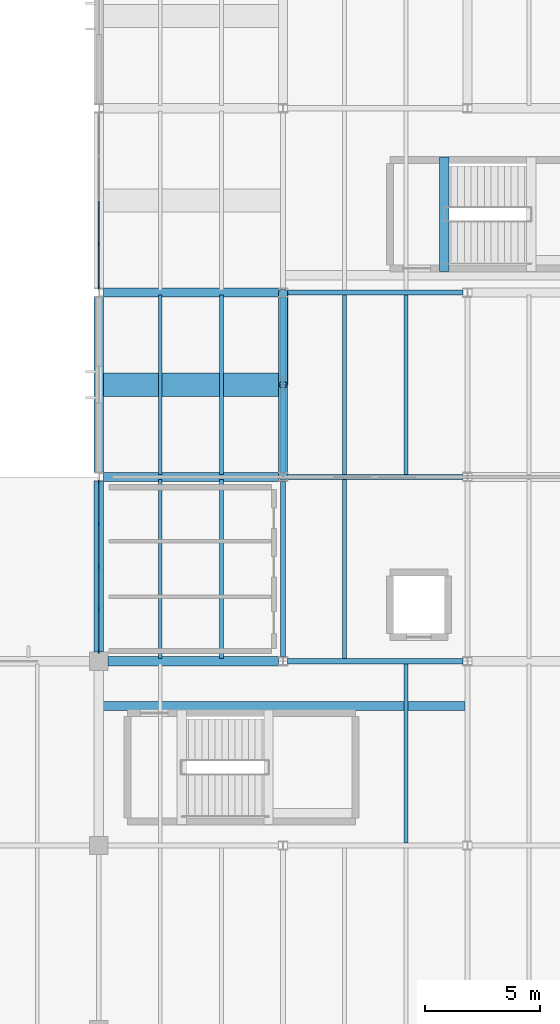
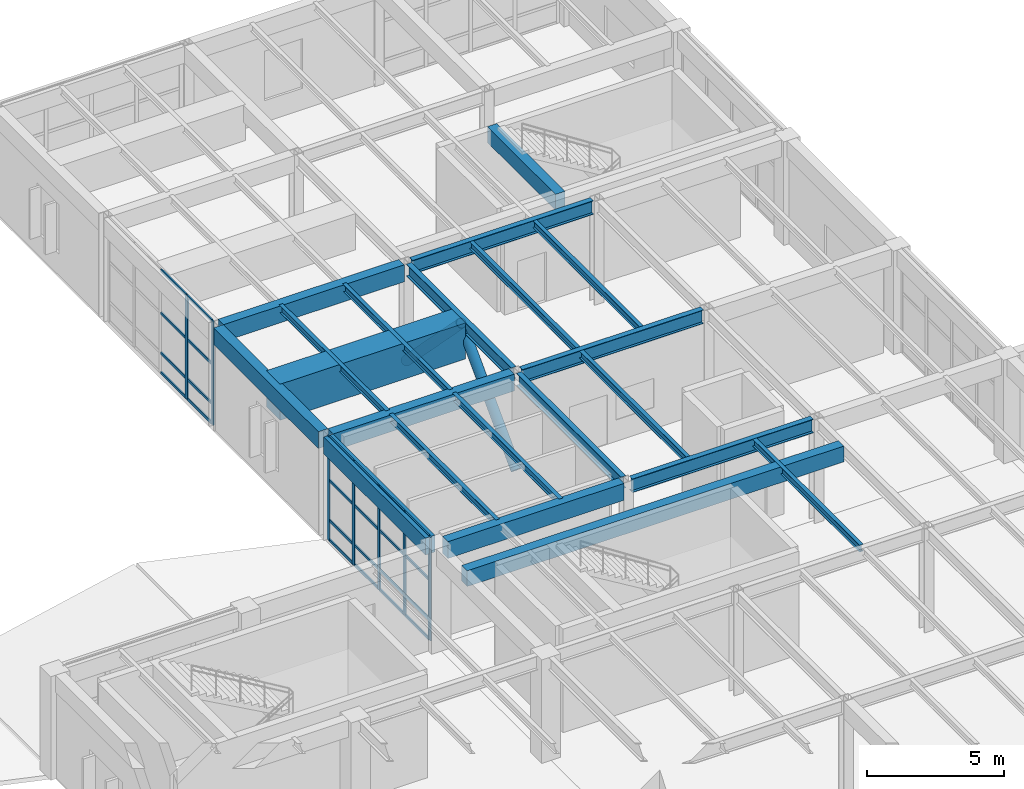
# One storey, part 21 of 60: 33 members, 21 beams, 2 elements without a shape of their own.
"""IFC4 building model written with IfcOpenShell, lengths in metres."""

from ifc_helpers import new_model, si_unit, direction, frame, origin, origin_2d, place, context, subcontext, project, spatial, rectangle, hollow_circle, i_section, extrude, material, layer, layer_set, material_profile, profile_set, type_object, element, aggregate, save


model = new_model("IFC4")

# Units and contexts
model_context = context("Model", 3, precision=1e-05, world=origin(), true_north=direction((0.0, 1.0)))
body_context = subcontext(model_context, "Body", "Model", "MODEL_VIEW")
ifc_project = project(units=[si_unit("LENGTHUNIT", "METRE"), si_unit("AREAUNIT", "SQUARE_METRE"), si_unit("VOLUMEUNIT", "CUBIC_METRE"), si_unit("PLANEANGLEUNIT", "RADIAN"), si_unit("MASSUNIT", "GRAM", prefix="KILO")], contexts=[model_context])

# Site, building, storey
site_placement = place(None, origin())
site = spatial("IfcSite", under=ifc_project, at=site_placement, CompositionType="ELEMENT")
building_placement = place(site_placement, origin())
building = spatial("IfcBuilding", under=site, at=building_placement, Name="Varnela Railside Interchange", CompositionType="ELEMENT")
storey_placement = place(building_placement, frame((0.0, 0.0, 6.300048828125)))
storey = spatial("IfcBuildingStorey", under=building, at=storey_placement, Name="L01", CompositionType="ELEMENT", Elevation=6.300048828125)

# Beams
ifc_material_1 = material(Name="Concrete C50", Category="concrete")
ifc_material_profile_1 = material_profile(ifc_material_1, rectangle(XDim=1.0, YDim=1.60009765625, at=origin_2d()), Name="RC 1000x1600")
ifc_profile_set_1 = profile_set([ifc_material_profile_1], Name="Concrete C50")
beam_type_1 = type_object("IfcBeamType", Name="Auditorium Transfer Girder TG-03", PredefinedType="BEAM", material=ifc_profile_set_1)
beam_1_placement = place(storey_placement, frame((116.10595703125, 74.0, 3.800048828125), z_axis=(1.0, 0.0, 0.0), x_axis=(0.0, 1.0, 0.0)))
element("IfcBeam", 1, at=beam_1_placement, inside=storey, type_object=beam_type_1, Name="Auditorium Transfer Girder TG-03 (L01) (BM-1787)", PredefinedType="BEAM", context=body_context, shape_type="SweptSolid", body=[
    extrude(rectangle(XDim=1.0, YDim=1.60009765625, at=origin_2d()), origin(), (0.0, 0.0, 1.0), 7.7880859375),
])
ifc_material_2 = material(Name="Steel AR 350 (350 MPa)", Category="steel")
ifc_material_profile_2 = material_profile(ifc_material_2, i_section(OverallWidth=0.1650390625, OverallDepth=0.31005859375, WebThickness=0.005859375, FlangeThickness=0.009765625, at=origin_2d()), Name="W310x38.7")
ifc_profile_set_2 = profile_set([ifc_material_profile_2], Name="Steel AR 350 (350 MPa)")
beam_type_2 = type_object("IfcBeamType", Name="Composite Floor Joist J-04", PredefinedType="JOIST", material=ifc_profile_set_2)
for number, where, z_axis, x_axis, name in (
    (2, (118.669921875, 62.114501953125, 4.445068359375), (0.0, 1.0, 0.0), (-1.0, 0.0, 0.0), "Composite Floor Joist J-04 (L01) (BM-1490)"),
    (3, (121.330078125, 62.114501953125, 4.445068359375), (0.0, 1.0, 0.0), (-1.0, 0.0, 0.0), "Composite Floor Joist J-04 (L01) (BM-1491)"),
    (4, (118.669921875, 70.114501953125, 4.445068359375), (0.0, 1.0, 0.0), (-1.0, 0.0, 0.0), "Composite Floor Joist J-04 (L01) (BM-1492)"),
    (5, (121.330078125, 70.114501953125, 4.445068359375), (0.0, 1.0, 0.0), (-1.0, 0.0, 0.0), "Composite Floor Joist J-04 (L01) (BM-1493)"),
    (6, (129.330078125, 54.114501953125, 4.445068359375), (0.0, 1.0, 0.0), (-1.0, 0.0, 0.0), "Composite Floor Joist J-04 (L01) (BM-1502)"),
    (7, (126.669921875, 62.114501953125, 4.445068359375), (0.0, 1.0, 0.0), (-1.0, 0.0, 0.0), "Composite Floor Joist J-04 (L01) (BM-1503)"),
    (8, (126.669921875, 70.114501953125, 4.445068359375), (0.0, 1.0, 0.0), (-1.0, 0.0, 0.0), "Composite Floor Joist J-04 (L01) (BM-1504)"),
    (9, (129.330078125, 70.114501953125, 4.445068359375), (0.0, 1.0, 0.0), (-1.0, 0.0, 0.0), "Composite Floor Joist J-04 (L01) (BM-1505)"),
):
    element("IfcBeam", number, at=place(storey_placement, frame(where, z_axis=z_axis, x_axis=x_axis)), inside=storey, type_object=beam_type_2, Name=name, PredefinedType="JOIST", context=body_context, shape_type="SweptSolid", body=[
        extrude(i_section(OverallWidth=0.1650390625, OverallDepth=0.31005859375, WebThickness=0.005859375, FlangeThickness=0.009765625, at=origin_2d()), origin(), (0.0, 0.0, 1.0), 7.77099609375),
    ])
ifc_material_profile_3 = material_profile(ifc_material_2, i_section(OverallWidth=0.2119140625, OverallDepth=0.5439453125, WebThickness=0.01318359375, FlangeThickness=0.021240234375, at=origin_2d()), Name="W530x123")
ifc_profile_set_3 = profile_set([ifc_material_profile_3], Name="Steel AR 350 (350 MPa)")
beam_type_3 = type_object("IfcBeamType", Name="Composite Heavy Girder B-16", PredefinedType="BEAM", material=ifc_profile_set_3)
for number, where, z_axis, x_axis, name in (
    (10, (124.0, 62.193603515625, 4.327880859375), (0.0, 1.0, 0.0), (-1.0, 0.0, 0.0), "Composite Heavy Girder B-16 (L01) (BM-1718)"),
    (11, (124.0, 70.193603515625, 4.327880859375), (0.0, 1.0, 0.0), (-1.0, 0.0, 0.0), "Composite Heavy Girder B-16 (L01) (BM-1719)"),
):
    element("IfcBeam", number, at=place(storey_placement, frame(where, z_axis=z_axis, x_axis=x_axis)), inside=storey, type_object=beam_type_3, Name=name, PredefinedType="BEAM", context=body_context, shape_type="SweptSolid", body=[
        extrude(i_section(OverallWidth=0.2119140625, OverallDepth=0.5439453125, WebThickness=0.01318359375, FlangeThickness=0.021240234375, at=origin_2d()), origin(), (0.0, 0.0, 1.0), 7.61279296875),
    ])
ifc_material_3 = material(Name="Concrete C40", Category="concrete")
ifc_material_profile_4 = material_profile(ifc_material_3, rectangle(XDim=0.39990234375, YDim=0.699951171875, at=origin_2d()), Name="RC 400x700")
ifc_profile_set_4 = profile_set([ifc_material_profile_4], Name="Concrete C40")
beam_type_4 = type_object("IfcBeamType", Name="Concrete Tie Beam B-01", PredefinedType="BEAM", material=ifc_profile_set_4)
beam_2_placement = place(storey_placement, frame((116.080078125, 60.050048828125, 4.25), z_axis=(1.0, 0.0, 0.0), x_axis=(0.0, 1.0, 0.0)))
element("IfcBeam", 12, at=beam_2_placement, inside=storey, type_object=beam_type_4, Name="Concrete Tie Beam B-01 (L01) (BM-1790)", PredefinedType="BEAM", context=body_context, shape_type="SweptSolid", body=[
    extrude(rectangle(XDim=0.39990234375, YDim=0.699951171875, at=origin_2d()), origin(), (0.0, 0.0, 1.0), 15.81884765625),
])
beam_3_placement = place(storey_placement, frame((131.0, 78.919921875, 4.25), z_axis=(0.0, 1.0, 0.0), x_axis=(-1.0, 0.0, 0.0)))
element("IfcBeam", 13, at=beam_3_placement, inside=storey, type_object=beam_type_4, Name="Concrete Tie Beam B-01 (L01) (BM-1819)", PredefinedType="BEAM", context=body_context, shape_type="SweptSolid", body=[
    extrude(rectangle(XDim=0.39990234375, YDim=0.699951171875, at=origin_2d()), origin(), (0.0, 0.0, 1.0), 4.9599609375),
])

# Curtain wall, members
ifc_material_4 = material(Name="Aluminium 6063-T6", Category="aluminium")
ifc_layer = layer(ifc_material_4, 0.035888671875)
ifc_layer_set = layer_set([ifc_layer], Name="Aluminium 6063-T6")
curtain_wall_type = type_object("IfcCurtainWallType", Name="Study Pavilion Gallery Curtain Wall CW-02", PredefinedType="USERDEFINED", material=ifc_layer_set)
curtain_wall_1_placement = place(storey_placement, origin())
curtain_wall_1 = element("IfcCurtainWall", 14, at=curtain_wall_1_placement, inside=storey, type_object=curtain_wall_type, Name="Curtain Wall CW-02 (L01) (CW-029)", ObjectType="CURTAIN WALL", PredefinedType="USERDEFINED")
ifc_material_profile_5 = material_profile(ifc_material_4, rectangle(XDim=0.06005859375, YDim=0.159912109375, at=origin_2d()), Name="ALU 60x160")
ifc_profile_set_5 = profile_set([ifc_material_profile_5], Name="Aluminium 6063-T6")
member_type_1 = type_object("IfcMemberType", Name="Curtain Wall Mullion ML-02", PredefinedType="MULLION", material=ifc_profile_set_5)
member_1_placement = place(storey_placement, frame((116.0, 62.429931640625, 0.0), z_axis=(0.0, 0.0, 1.0), x_axis=(-1.0, 0.0, 0.0)))
member_1 = element("IfcMember", 15, at=member_1_placement, type_object=member_type_1, Name="CW-02 mullion 1", PredefinedType="MULLION", context=body_context, shape_type="SweptSolid", body=[
    extrude(rectangle(XDim=0.06005859375, YDim=0.159912109375, at=origin_2d()), origin(), (0.0, 0.0, 1.0), 4.599853515625),
])
member_2_placement = place(storey_placement, frame((116.0, 64.251708984375, 0.0), z_axis=(0.0, 0.0, 1.0), x_axis=(-1.0, 0.0, 0.0)))
member_2 = element("IfcMember", 16, at=member_2_placement, type_object=member_type_1, Name="CW-02 mullion 2", PredefinedType="MULLION", context=body_context, shape_type="SweptSolid", body=[
    extrude(rectangle(XDim=0.06005859375, YDim=0.159912109375, at=origin_2d()), origin(), (0.0, 0.0, 1.0), 4.599853515625),
])
member_3_placement = place(storey_placement, frame((116.0, 66.103271484375, 0.0), z_axis=(0.0, 0.0, 1.0), x_axis=(-1.0, 0.0, 0.0)))
member_3 = element("IfcMember", 17, at=member_3_placement, type_object=member_type_1, Name="CW-02 mullion 3", PredefinedType="MULLION", context=body_context, shape_type="SweptSolid", body=[
    extrude(rectangle(XDim=0.06005859375, YDim=0.159912109375, at=origin_2d()), origin(), (0.0, 0.0, 1.0), 4.599853515625),
])
member_4_placement = place(storey_placement, frame((116.0, 67.954833984375, 0.0), z_axis=(0.0, 0.0, 1.0), x_axis=(-1.0, 0.0, 0.0)))
member_4 = element("IfcMember", 18, at=member_4_placement, type_object=member_type_1, Name="CW-02 mullion 4", PredefinedType="MULLION", context=body_context, shape_type="SweptSolid", body=[
    extrude(rectangle(XDim=0.06005859375, YDim=0.159912109375, at=origin_2d()), origin(), (0.0, 0.0, 1.0), 4.599853515625),
])
member_5_placement = place(storey_placement, frame((116.0, 69.776611328125, 0.0), z_axis=(0.0, 0.0, 1.0), x_axis=(-1.0, 0.0, 0.0)))
member_5 = element("IfcMember", 19, at=member_5_placement, type_object=member_type_1, Name="CW-02 mullion 5", PredefinedType="MULLION", context=body_context, shape_type="SweptSolid", body=[
    extrude(rectangle(XDim=0.06005859375, YDim=0.159912109375, at=origin_2d()), origin(), (0.0, 0.0, 1.0), 4.599853515625),
])

curtain_wall_2_placement = place(storey_placement, origin())
curtain_wall_2 = element("IfcCurtainWall", 20, at=curtain_wall_2_placement, inside=storey, type_object=curtain_wall_type, Name="Curtain Wall CW-02 (L01) (CW-030)", ObjectType="CURTAIN WALL", PredefinedType="USERDEFINED")
member_6_placement = place(storey_placement, frame((116.0, 78.223388671875, 0.0), z_axis=(0.0, 0.0, 1.0), x_axis=(-1.0, 0.0, 0.0)))
member_6 = element("IfcMember", 21, at=member_6_placement, type_object=member_type_1, Name="CW-02 mullion 1", PredefinedType="MULLION", context=body_context, shape_type="SweptSolid", body=[
    extrude(rectangle(XDim=0.06005859375, YDim=0.159912109375, at=origin_2d()), origin(), (0.0, 0.0, 1.0), 4.599853515625),
])
member_7_placement = place(storey_placement, frame((116.0, 80.0966796875, 0.0), z_axis=(0.0, 0.0, 1.0), x_axis=(-1.0, 0.0, 0.0)))
member_7 = element("IfcMember", 22, at=member_7_placement, type_object=member_type_1, Name="CW-02 mullion 2", PredefinedType="MULLION", context=body_context, shape_type="SweptSolid", body=[
    extrude(rectangle(XDim=0.06005859375, YDim=0.159912109375, at=origin_2d()), origin(), (0.0, 0.0, 1.0), 4.599853515625),
])

# Member
ifc_material_profile_6 = material_profile(ifc_material_4, rectangle(XDim=0.06005859375, YDim=0.1201171875, at=origin_2d()), Name="ALU 60x120")
ifc_profile_set_6 = profile_set([ifc_material_profile_6], Name="Aluminium 6063-T6")
member_type_2 = type_object("IfcMemberType", Name="Curtain Wall Transom TR-02", PredefinedType="USERDEFINED", material=ifc_profile_set_6)
member_8_placement = place(storey_placement, frame((116.0, 62.4599609375, 0.030029296875), z_axis=(0.0, 1.0, 0.0), x_axis=(-1.0, 0.0, 0.0)))
member_8 = element("IfcMember", 23, at=member_8_placement, type_object=member_type_2, Name="CW-02 transom 1.1", ObjectType="TRANSOM", PredefinedType="USERDEFINED", context=body_context, shape_type="SweptSolid", body=[
    extrude(rectangle(XDim=0.06005859375, YDim=0.1201171875, at=origin_2d()), origin(), (0.0, 0.0, 1.0), 1.76171875),
])

member_9_placement = place(storey_placement, frame((116.0, 62.4599609375, 0.89990234375), z_axis=(0.0, 1.0, 0.0), x_axis=(-1.0, 0.0, 0.0)))
member_9 = element("IfcMember", 24, at=member_9_placement, type_object=member_type_2, Name="CW-02 transom 1.2", ObjectType="TRANSOM", PredefinedType="USERDEFINED", context=body_context, shape_type="SweptSolid", body=[
    extrude(rectangle(XDim=0.06005859375, YDim=0.1201171875, at=origin_2d()), origin(), (0.0, 0.0, 1.0), 1.76171875),
])

member_10_placement = place(storey_placement, frame((116.0, 62.4599609375, 2.66796875), z_axis=(0.0, 1.0, 0.0), x_axis=(-1.0, 0.0, 0.0)))
member_10 = element("IfcMember", 25, at=member_10_placement, type_object=member_type_2, Name="CW-02 transom 1.3", ObjectType="TRANSOM", PredefinedType="USERDEFINED", context=body_context, shape_type="SweptSolid", body=[
    extrude(rectangle(XDim=0.06005859375, YDim=0.1201171875, at=origin_2d()), origin(), (0.0, 0.0, 1.0), 1.76171875),
])

member_11_placement = place(storey_placement, frame((116.0, 62.4599609375, 4.570068359375), z_axis=(0.0, 1.0, 0.0), x_axis=(-1.0, 0.0, 0.0)))
member_11 = element("IfcMember", 26, at=member_11_placement, type_object=member_type_2, Name="CW-02 transom 1.4", ObjectType="TRANSOM", PredefinedType="USERDEFINED", context=body_context, shape_type="SweptSolid", body=[
    extrude(rectangle(XDim=0.06005859375, YDim=0.1201171875, at=origin_2d()), origin(), (0.0, 0.0, 1.0), 1.76171875),
])

member_12_placement = place(storey_placement, frame((116.0, 64.28173828125, 0.030029296875), z_axis=(0.0, 1.0, 0.0), x_axis=(-1.0, 0.0, 0.0)))
member_12 = element("IfcMember", 27, at=member_12_placement, type_object=member_type_2, Name="CW-02 transom 2.1", ObjectType="TRANSOM", PredefinedType="USERDEFINED", context=body_context, shape_type="SweptSolid", body=[
    extrude(rectangle(XDim=0.06005859375, YDim=0.1201171875, at=origin_2d()), origin(), (0.0, 0.0, 1.0), 1.79150390625),
])

member_13_placement = place(storey_placement, frame((116.0, 64.28173828125, 0.89990234375), z_axis=(0.0, 1.0, 0.0), x_axis=(-1.0, 0.0, 0.0)))
member_13 = element("IfcMember", 28, at=member_13_placement, type_object=member_type_2, Name="CW-02 transom 2.2", ObjectType="TRANSOM", PredefinedType="USERDEFINED", context=body_context, shape_type="SweptSolid", body=[
    extrude(rectangle(XDim=0.06005859375, YDim=0.1201171875, at=origin_2d()), origin(), (0.0, 0.0, 1.0), 1.79150390625),
])

member_14_placement = place(storey_placement, frame((116.0, 64.28173828125, 2.66796875), z_axis=(0.0, 1.0, 0.0), x_axis=(-1.0, 0.0, 0.0)))
member_14 = element("IfcMember", 29, at=member_14_placement, type_object=member_type_2, Name="CW-02 transom 2.3", ObjectType="TRANSOM", PredefinedType="USERDEFINED", context=body_context, shape_type="SweptSolid", body=[
    extrude(rectangle(XDim=0.06005859375, YDim=0.1201171875, at=origin_2d()), origin(), (0.0, 0.0, 1.0), 1.79150390625),
])

member_15_placement = place(storey_placement, frame((116.0, 64.28173828125, 4.570068359375), z_axis=(0.0, 1.0, 0.0), x_axis=(-1.0, 0.0, 0.0)))
member_15 = element("IfcMember", 30, at=member_15_placement, type_object=member_type_2, Name="CW-02 transom 2.4", ObjectType="TRANSOM", PredefinedType="USERDEFINED", context=body_context, shape_type="SweptSolid", body=[
    extrude(rectangle(XDim=0.06005859375, YDim=0.1201171875, at=origin_2d()), origin(), (0.0, 0.0, 1.0), 1.79150390625),
])

member_16_placement = place(storey_placement, frame((116.0, 66.13330078125, 0.030029296875), z_axis=(0.0, 1.0, 0.0), x_axis=(-1.0, 0.0, 0.0)))
member_16 = element("IfcMember", 31, at=member_16_placement, type_object=member_type_2, Name="CW-02 transom 3.1", ObjectType="TRANSOM", PredefinedType="USERDEFINED", context=body_context, shape_type="SweptSolid", body=[
    extrude(rectangle(XDim=0.06005859375, YDim=0.1201171875, at=origin_2d()), origin(), (0.0, 0.0, 1.0), 1.79150390625),
])

member_17_placement = place(storey_placement, frame((116.0, 66.13330078125, 0.89990234375), z_axis=(0.0, 1.0, 0.0), x_axis=(-1.0, 0.0, 0.0)))
member_17 = element("IfcMember", 32, at=member_17_placement, type_object=member_type_2, Name="CW-02 transom 3.2", ObjectType="TRANSOM", PredefinedType="USERDEFINED", context=body_context, shape_type="SweptSolid", body=[
    extrude(rectangle(XDim=0.06005859375, YDim=0.1201171875, at=origin_2d()), origin(), (0.0, 0.0, 1.0), 1.79150390625),
])

member_18_placement = place(storey_placement, frame((116.0, 66.13330078125, 2.66796875), z_axis=(0.0, 1.0, 0.0), x_axis=(-1.0, 0.0, 0.0)))
member_18 = element("IfcMember", 33, at=member_18_placement, type_object=member_type_2, Name="CW-02 transom 3.3", ObjectType="TRANSOM", PredefinedType="USERDEFINED", context=body_context, shape_type="SweptSolid", body=[
    extrude(rectangle(XDim=0.06005859375, YDim=0.1201171875, at=origin_2d()), origin(), (0.0, 0.0, 1.0), 1.79150390625),
])

member_19_placement = place(storey_placement, frame((116.0, 66.13330078125, 4.570068359375), z_axis=(0.0, 1.0, 0.0), x_axis=(-1.0, 0.0, 0.0)))
member_19 = element("IfcMember", 34, at=member_19_placement, type_object=member_type_2, Name="CW-02 transom 3.4", ObjectType="TRANSOM", PredefinedType="USERDEFINED", context=body_context, shape_type="SweptSolid", body=[
    extrude(rectangle(XDim=0.06005859375, YDim=0.1201171875, at=origin_2d()), origin(), (0.0, 0.0, 1.0), 1.79150390625),
])

member_20_placement = place(storey_placement, frame((116.0, 67.98486328125, 0.030029296875), z_axis=(0.0, 1.0, 0.0), x_axis=(-1.0, 0.0, 0.0)))
member_20 = element("IfcMember", 35, at=member_20_placement, type_object=member_type_2, Name="CW-02 transom 4.1", ObjectType="TRANSOM", PredefinedType="USERDEFINED", context=body_context, shape_type="SweptSolid", body=[
    extrude(rectangle(XDim=0.06005859375, YDim=0.1201171875, at=origin_2d()), origin(), (0.0, 0.0, 1.0), 1.76171875),
])

member_21_placement = place(storey_placement, frame((116.0, 67.98486328125, 0.89990234375), z_axis=(0.0, 1.0, 0.0), x_axis=(-1.0, 0.0, 0.0)))
member_21 = element("IfcMember", 36, at=member_21_placement, type_object=member_type_2, Name="CW-02 transom 4.2", ObjectType="TRANSOM", PredefinedType="USERDEFINED", context=body_context, shape_type="SweptSolid", body=[
    extrude(rectangle(XDim=0.06005859375, YDim=0.1201171875, at=origin_2d()), origin(), (0.0, 0.0, 1.0), 1.76171875),
])

member_22_placement = place(storey_placement, frame((116.0, 67.98486328125, 2.66796875), z_axis=(0.0, 1.0, 0.0), x_axis=(-1.0, 0.0, 0.0)))
member_22 = element("IfcMember", 37, at=member_22_placement, type_object=member_type_2, Name="CW-02 transom 4.3", ObjectType="TRANSOM", PredefinedType="USERDEFINED", context=body_context, shape_type="SweptSolid", body=[
    extrude(rectangle(XDim=0.06005859375, YDim=0.1201171875, at=origin_2d()), origin(), (0.0, 0.0, 1.0), 1.76171875),
])

member_23_placement = place(storey_placement, frame((116.0, 67.98486328125, 4.570068359375), z_axis=(0.0, 1.0, 0.0), x_axis=(-1.0, 0.0, 0.0)))
member_23 = element("IfcMember", 38, at=member_23_placement, type_object=member_type_2, Name="CW-02 transom 4.4", ObjectType="TRANSOM", PredefinedType="USERDEFINED", context=body_context, shape_type="SweptSolid", body=[
    extrude(rectangle(XDim=0.06005859375, YDim=0.1201171875, at=origin_2d()), origin(), (0.0, 0.0, 1.0), 1.76171875),
])

aggregate(curtain_wall_1, [member_1, member_2, member_3, member_4, member_5, member_8, member_9, member_10, member_11, member_12, member_13, member_14, member_15, member_16, member_17, member_18, member_19, member_20, member_21, member_22, member_23])

member_24_placement = place(storey_placement, frame((116.0, 78.25341796875, 0.030029296875), z_axis=(0.0, 1.0, 0.0), x_axis=(-1.0, 0.0, 0.0)))
member_24 = element("IfcMember", 39, at=member_24_placement, type_object=member_type_2, Name="CW-02 transom 1.1", ObjectType="TRANSOM", PredefinedType="USERDEFINED", context=body_context, shape_type="SweptSolid", body=[
    extrude(rectangle(XDim=0.06005859375, YDim=0.1201171875, at=origin_2d()), origin(), (0.0, 0.0, 1.0), 1.813232421875),
])

member_25_placement = place(storey_placement, frame((116.0, 78.25341796875, 0.89990234375), z_axis=(0.0, 1.0, 0.0), x_axis=(-1.0, 0.0, 0.0)))
member_25 = element("IfcMember", 40, at=member_25_placement, type_object=member_type_2, Name="CW-02 transom 1.2", ObjectType="TRANSOM", PredefinedType="USERDEFINED", context=body_context, shape_type="SweptSolid", body=[
    extrude(rectangle(XDim=0.06005859375, YDim=0.1201171875, at=origin_2d()), origin(), (0.0, 0.0, 1.0), 1.813232421875),
])

member_26_placement = place(storey_placement, frame((116.0, 78.25341796875, 2.66796875), z_axis=(0.0, 1.0, 0.0), x_axis=(-1.0, 0.0, 0.0)))
member_26 = element("IfcMember", 41, at=member_26_placement, type_object=member_type_2, Name="CW-02 transom 1.3", ObjectType="TRANSOM", PredefinedType="USERDEFINED", context=body_context, shape_type="SweptSolid", body=[
    extrude(rectangle(XDim=0.06005859375, YDim=0.1201171875, at=origin_2d()), origin(), (0.0, 0.0, 1.0), 1.813232421875),
])

member_27_placement = place(storey_placement, frame((116.0, 78.25341796875, 4.570068359375), z_axis=(0.0, 1.0, 0.0), x_axis=(-1.0, 0.0, 0.0)))
member_27 = element("IfcMember", 42, at=member_27_placement, type_object=member_type_2, Name="CW-02 transom 1.4", ObjectType="TRANSOM", PredefinedType="USERDEFINED", context=body_context, shape_type="SweptSolid", body=[
    extrude(rectangle(XDim=0.06005859375, YDim=0.1201171875, at=origin_2d()), origin(), (0.0, 0.0, 1.0), 1.813232421875),
])

member_28_placement = place(storey_placement, frame((116.0, 80.126708984375, 0.030029296875), z_axis=(0.0, 1.0, 0.0), x_axis=(-1.0, 0.0, 0.0)))
member_28 = element("IfcMember", 43, at=member_28_placement, type_object=member_type_2, Name="CW-02 transom 2.1", ObjectType="TRANSOM", PredefinedType="USERDEFINED", context=body_context, shape_type="SweptSolid", body=[
    extrude(rectangle(XDim=0.06005859375, YDim=0.1201171875, at=origin_2d()), origin(), (0.0, 0.0, 1.0), 1.84326171875),
])

member_29_placement = place(storey_placement, frame((116.0, 80.126708984375, 0.89990234375), z_axis=(0.0, 1.0, 0.0), x_axis=(-1.0, 0.0, 0.0)))
member_29 = element("IfcMember", 44, at=member_29_placement, type_object=member_type_2, Name="CW-02 transom 2.2", ObjectType="TRANSOM", PredefinedType="USERDEFINED", context=body_context, shape_type="SweptSolid", body=[
    extrude(rectangle(XDim=0.06005859375, YDim=0.1201171875, at=origin_2d()), origin(), (0.0, 0.0, 1.0), 1.84326171875),
])

member_30_placement = place(storey_placement, frame((116.0, 80.126708984375, 2.66796875), z_axis=(0.0, 1.0, 0.0), x_axis=(-1.0, 0.0, 0.0)))
member_30 = element("IfcMember", 45, at=member_30_placement, type_object=member_type_2, Name="CW-02 transom 2.3", ObjectType="TRANSOM", PredefinedType="USERDEFINED", context=body_context, shape_type="SweptSolid", body=[
    extrude(rectangle(XDim=0.06005859375, YDim=0.1201171875, at=origin_2d()), origin(), (0.0, 0.0, 1.0), 1.84326171875),
])

member_31_placement = place(storey_placement, frame((116.0, 80.126708984375, 4.570068359375), z_axis=(0.0, 1.0, 0.0), x_axis=(-1.0, 0.0, 0.0)))
member_31 = element("IfcMember", 46, at=member_31_placement, type_object=member_type_2, Name="CW-02 transom 2.4", ObjectType="TRANSOM", PredefinedType="USERDEFINED", context=body_context, shape_type="SweptSolid", body=[
    extrude(rectangle(XDim=0.06005859375, YDim=0.1201171875, at=origin_2d()), origin(), (0.0, 0.0, 1.0), 1.84326171875),
])

aggregate(curtain_wall_2, [member_6, member_7, member_24, member_25, member_26, member_27, member_28, member_29, member_30, member_31])

# Beams
ifc_material_profile_7 = material_profile(ifc_material_2, i_section(OverallWidth=0.22900390625, OverallDepth=0.612060546875, WebThickness=0.011962890625, FlangeThickness=0.01953125, at=origin_2d()), Name="W610x125")
ifc_profile_set_7 = profile_set([ifc_material_profile_7], Name="Steel AR 350 (350 MPa)")
beam_type_5 = type_object("IfcBeamType", Name="Podium Composite Girder B-15", PredefinedType="BEAM", material=ifc_profile_set_7)
for number, where, z_axis, x_axis, name in (
    (47, (124.198974609375, 62.0, 4.2939453125), (1.0, 0.0, 0.0), (0.0, 1.0, 0.0), "Podium Composite Girder B-15 (L01) (BM-1659)"),
    (48, (124.198974609375, 70.0, 4.2939453125), (1.0, 0.0, 0.0), (0.0, 1.0, 0.0), "Podium Composite Girder B-15 (L01) (BM-1670)"),
    (49, (124.198974609375, 78.0, 4.2939453125), (1.0, 0.0, 0.0), (0.0, 1.0, 0.0), "Podium Composite Girder B-15 (L01) (BM-1676)"),
):
    element("IfcBeam", number, at=place(storey_placement, frame(where, z_axis=z_axis, x_axis=x_axis)), inside=storey, type_object=beam_type_5, Name=name, PredefinedType="BEAM", context=body_context, shape_type="SweptSolid", body=[
        extrude(i_section(OverallWidth=0.22900390625, OverallDepth=0.612060546875, WebThickness=0.011962890625, FlangeThickness=0.01953125, at=origin_2d()), origin(), (0.0, 0.0, 1.0), 7.60205078125),
    ])
ifc_material_5 = material(Name="Concrete C40 precast", Category="concrete")
ifc_material_profile_8 = material_profile(ifc_material_5, rectangle(XDim=0.39990234375, YDim=0.75, at=origin_2d()), Name="PC 400x750")
ifc_profile_set_8 = profile_set([ifc_material_profile_8], Name="Concrete C40 precast")
beam_type_6 = type_object("IfcBeamType", Name="Precast Facade Spandrel SP-03", PredefinedType="SPANDREL", material=ifc_profile_set_8)
beam_4_placement = place(storey_placement, frame((116.39990234375, 62.0, 4.224853515625), z_axis=(1.0, 0.0, 0.0), x_axis=(0.0, 1.0, 0.0)))
element("IfcBeam", 50, at=beam_4_placement, inside=storey, type_object=beam_type_6, Name="Precast Facade Spandrel SP-03 (L01) (BM-1658)", PredefinedType="SPANDREL", context=body_context, shape_type="SweptSolid", body=[
    extrude(rectangle(XDim=0.39990234375, YDim=0.75, at=origin_2d()), origin(), (0.0, 0.0, 1.0), 7.401123046875),
])
for number, where, z_axis, x_axis, name in (
    (51, (116.198974609375, 70.0, 4.224853515625), (1.0, 0.0, 0.0), (0.0, 1.0, 0.0), "Precast Facade Spandrel SP-03 (L01) (BM-1669)"),
    (52, (116.198974609375, 78.0, 4.224853515625), (1.0, 0.0, 0.0), (0.0, 1.0, 0.0), "Precast Facade Spandrel SP-03 (L01) (BM-1675)"),
):
    element("IfcBeam", number, at=place(storey_placement, frame(where, z_axis=z_axis, x_axis=x_axis)), inside=storey, type_object=beam_type_6, Name=name, PredefinedType="SPANDREL", context=body_context, shape_type="SweptSolid", body=[
        extrude(rectangle(XDim=0.39990234375, YDim=0.75, at=origin_2d()), origin(), (0.0, 0.0, 1.0), 7.60205078125),
    ])
beam_5_placement = place(storey_placement, frame((116.0, 62.39990234375, 4.224853515625), z_axis=(0.0, 1.0, 0.0), x_axis=(-1.0, 0.0, 0.0)))
element("IfcBeam", 53, at=beam_5_placement, inside=storey, type_object=beam_type_6, Name="Precast Facade Spandrel SP-03 (L01) (BM-1712)", PredefinedType="SPANDREL", context=body_context, shape_type="SweptSolid", body=[
    extrude(rectangle(XDim=0.39990234375, YDim=0.75, at=origin_2d()), origin(), (0.0, 0.0, 1.0), 7.406494140625),
])
beam_6_placement = place(storey_placement, frame((116.0, 70.193603515625, 4.224853515625), z_axis=(0.0, 1.0, 0.0), x_axis=(-1.0, 0.0, 0.0)))
element("IfcBeam", 54, at=beam_6_placement, inside=storey, type_object=beam_type_6, Name="Precast Facade Spandrel SP-03 (L01) (BM-1713)", PredefinedType="SPANDREL", context=body_context, shape_type="SweptSolid", body=[
    extrude(rectangle(XDim=0.39990234375, YDim=0.75, at=origin_2d()), origin(), (0.0, 0.0, 1.0), 7.61279296875),
])

# Members
ifc_material_profile_9 = material_profile(ifc_material_2, hollow_circle(Radius=0.203125, WallThickness=0.02001953125, at=origin_2d()), Name="CHS 406.4x20")
ifc_profile_set_9 = profile_set([ifc_material_profile_9], Name="Steel AR 350 (350 MPa)")
member_type_3 = type_object("IfcMemberType", Name="Tubular Mega Brace BR-09", PredefinedType="BRACE", material=ifc_profile_set_9)
for number, where, z_axis, x_axis, name in (
    (55, (124.0, 70.0, 0.14990234375), (0.0, 0.698315330267, 0.715790262238), (-1.0, 0.0, 0.0), "Tubular Mega Brace BR-09 (L01) (MB-0075)"),
    (56, (124.0, 78.0, 0.14990234375), (0.0, -0.698315330267, 0.715790262238), (1.0, 0.0, 0.0), "Tubular Mega Brace BR-09 (L01) (MB-0076)"),
):
    element("IfcMember", number, at=place(storey_placement, frame(where, z_axis=z_axis, x_axis=x_axis)), inside=storey, type_object=member_type_3, Name=name, PredefinedType="BRACE", context=body_context, shape_type="SweptSolid", body=[
        extrude(hollow_circle(Radius=0.203125, WallThickness=0.02001953125, at=origin_2d()), origin(), (0.0, 0.0, 1.0), 5.72802734375),
    ])

save(model, "model.ifc")
